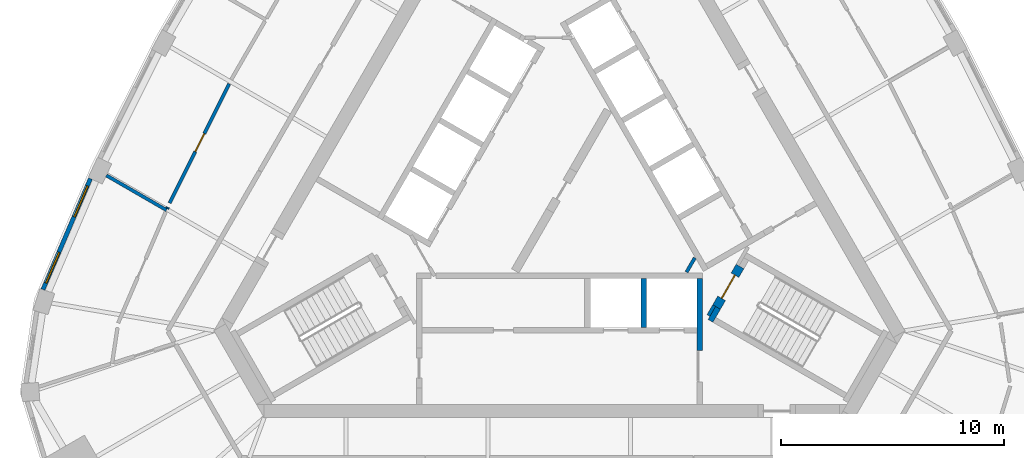
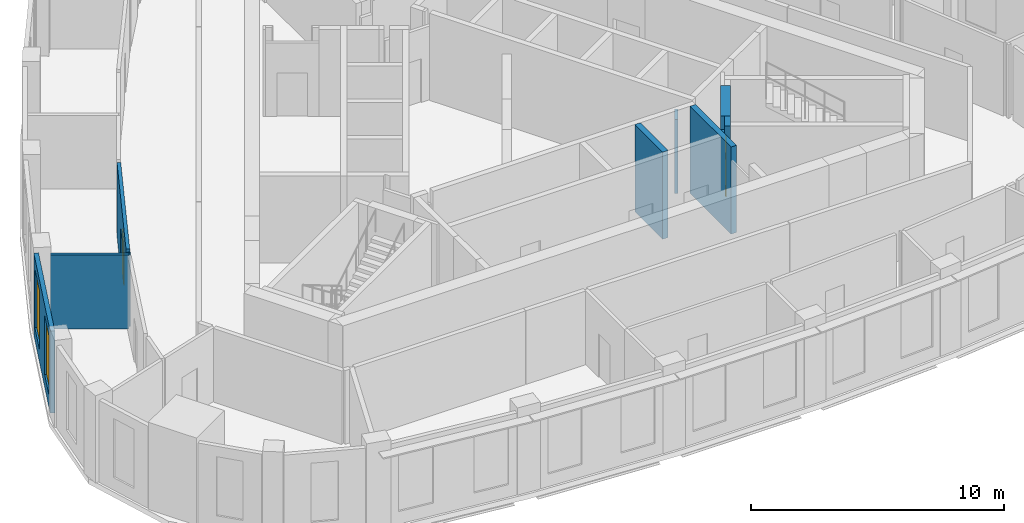
# One storey, part 4 of 10: 10 walls, 2 doors, 2 windows, 4 openings.
"""IFC4 building model written with IfcOpenShell, lengths in metres."""

from ifc_helpers import new_model, si_unit, direction, frame, frame_2d, origin, place, context, subcontext, project, spatial, rectangle, extrude, material, layer, layer_set, type_object, element, fill, save


model = new_model("IFC4")

# Units and contexts
model_context = context("Model", 3, precision=1e-05, world=origin(), true_north=direction((0.0, 1.0)))
body_context = subcontext(model_context, "Body", "Model", "MODEL_VIEW")
ifc_project = project(units=[si_unit("LENGTHUNIT", "METRE"), si_unit("AREAUNIT", "SQUARE_METRE"), si_unit("VOLUMEUNIT", "CUBIC_METRE"), si_unit("PLANEANGLEUNIT", "RADIAN"), si_unit("MASSUNIT", "GRAM", prefix="KILO")], contexts=[model_context])

# Site, building, storey
site_placement = place(None, origin())
site = spatial("IfcSite", under=ifc_project, at=site_placement, CompositionType="ELEMENT")
building_placement = place(site_placement, origin())
building = spatial("IfcBuilding", under=site, at=building_placement, Name="Mestral Congress Tower", CompositionType="ELEMENT")
storey_placement = place(building_placement, frame((0.0, 0.0, 267.0)))
storey = spatial("IfcBuildingStorey", under=building, at=storey_placement, Name="L62", CompositionType="ELEMENT", Elevation=267.0)

# Walls
ifc_material_1 = material(Name="Fire-rated board partition")
ifc_layer_1 = layer(ifc_material_1, 0.14990234375)
ifc_layer_set_1 = layer_set([ifc_layer_1], Name="Fire-rated board partition")
wall_type_1 = type_object("IfcWallType", Name="Core partition 150", PredefinedType="PARTITIONING", material=ifc_layer_set_1)
wall_1_placement = place(storey_placement, frame((6.94482421875, -5.22216796875, 0.0), z_axis=(0.0, 0.0, 1.0), x_axis=(-0.499818422106, -0.866130212453, 0.0)))
element("IfcWall", 1, at=wall_1_placement, inside=storey, type_object=wall_type_1, Name="L62 core wall", PredefinedType="PARTITIONING", context=body_context, shape_type="SweptSolid", body=[
    extrude(rectangle(XDim=0.513916015625, YDim=0.14990234375, at=frame_2d((0.2568359375, 0.0))), origin(), (0.0, 0.0, 1.0), 3.550048828125),
])
wall_2_placement = place(storey_placement, frame((5.704833984375, -3.718017578125, 0.0), z_axis=(0.0, 0.0, 1.0), x_axis=(0.499962090823, 0.866047289552, 0.0)))
element("IfcWall", 2, at=wall_2_placement, inside=storey, type_object=wall_type_1, Name="L62 core wall", PredefinedType="PARTITIONING", context=body_context, shape_type="SweptSolid", body=[
    extrude(rectangle(XDim=0.73486328125, YDim=0.14990234375, at=frame_2d((0.367431640625, 0.0))), origin(), (0.0, 0.0, 1.0), 3.550048828125),
])

# Wall, openings, windows
ifc_material_2 = material(Name="Precast concrete C40/50 with limestone facing", Category="masonry")
ifc_layer_2 = layer(ifc_material_2, 0.18994140625)
ifc_layer_set_2 = layer_set([ifc_layer_2], Name="Precast concrete C40/50 with limestone facing")
wall_type_2 = type_object("IfcWallType", Name="Facade stone wall 190", PredefinedType="SOLIDWALL", material=ifc_layer_set_2)
wall_3_placement = place(storey_placement, frame((-21.048828125, 0.477783203125, 0.0), z_axis=(0.0, 0.0, 1.0), x_axis=(-0.393347848476, -0.919389726992, 0.0)))
wall_3 = element("IfcWall", 3, at=wall_3_placement, inside=storey, type_object=wall_type_2, Name="Facade wall F2-04", PredefinedType="SOLIDWALL", context=body_context, shape_type="SweptSolid", body=[
    extrude(rectangle(XDim=5.414794921875, YDim=0.18994140625, at=frame_2d((2.70751953125, 0.0))), origin(), (0.0, 0.0, 1.0), 3.949951171875),
])
opening_1_placement = place(wall_3_placement, frame((0.357421875, 0.0, 0.60009765625)))
opening_1 = element("IfcOpeningElement", 4, at=opening_1_placement, cuts=wall_3, Name="Opening W6", PredefinedType="OPENING", context=body_context, shape_type="SweptSolid", body=[
    extrude(rectangle(XDim=1.5, YDim=2.85009765625, at=frame_2d((0.75, 1.425048828125))), frame((0.0, 0.10498046875, 0.0), z_axis=(0.0, -1.0, 0.0), x_axis=(1.0, 0.0, 0.0)), (0.0, 0.0, 1.0), 0.2099609375),
])
opening_2_placement = place(wall_3_placement, frame((3.592529296875, 0.0, 0.60009765625)))
opening_2 = element("IfcOpeningElement", 5, at=opening_2_placement, cuts=wall_3, Name="Opening W6", PredefinedType="OPENING", context=body_context, shape_type="SweptSolid", body=[
    extrude(rectangle(XDim=1.5, YDim=2.85009765625, at=frame_2d((0.75, 1.425048828125))), frame((0.0, 0.10498046875, 0.0), z_axis=(0.0, -1.0, 0.0), x_axis=(1.0, 0.0, 0.0)), (0.0, 0.0, 1.0), 0.2099609375),
])
ifc_material_3 = material(Name="Clear low-emissivity double glazing", Category="glass")
window_type = type_object("IfcWindowType", Name="Facade punched window 1500 x 2850 sill 600", PartitioningType="SINGLE_PANEL", PredefinedType="WINDOW", material=ifc_material_3)
window_1_placement = place(opening_1_placement, origin())
window_1 = element("IfcWindow", 6, at=window_1_placement, inside=storey, type_object=window_type, Name="Window F2-04a", OverallHeight=2.85009765625, OverallWidth=1.5, PartitioningType="SINGLE_PANEL", PredefinedType="WINDOW", context=body_context, shape_type="SweptSolid", body=[
    extrude(rectangle(XDim=1.5, YDim=2.85009765625, at=frame_2d((0.75, 1.425048828125))), frame((0.0, 0.044921875, 0.0), z_axis=(0.0, -1.0, 0.0), x_axis=(1.0, 0.0, 0.0)), (0.0, 0.0, 1.0), 0.06005859375),
])
fill(opening_1, window_1)
window_2_placement = place(opening_2_placement, origin())
window_2 = element("IfcWindow", 7, at=window_2_placement, inside=storey, type_object=window_type, Name="Window F2-04b", OverallHeight=2.85009765625, OverallWidth=1.5, PartitioningType="SINGLE_PANEL", PredefinedType="WINDOW", context=body_context, shape_type="SweptSolid", body=[
    extrude(rectangle(XDim=1.5, YDim=2.85009765625, at=frame_2d((0.75, 1.425048828125))), frame((0.0, 0.044921875, 0.0), z_axis=(0.0, -1.0, 0.0), x_axis=(1.0, 0.0, 0.0)), (0.0, 0.0, 1.0), 0.06005859375),
])
fill(opening_2, window_2)

# Wall
ifc_material_4 = material(Name="Plasterboard partition on steel studs", Category="steel")
ifc_layer_3 = layer(ifc_material_4, 0.14990234375)
ifc_layer_set_3 = layer_set([ifc_layer_3], Name="Plasterboard partition on steel studs")
wall_type_3 = type_object("IfcWallType", Name="Office partition 150", PredefinedType="PARTITIONING", material=ifc_layer_set_3)
wall_4_placement = place(storey_placement, frame((-17.634521484375, -0.935546875, 0.0), z_axis=(0.0, 0.0, 1.0), x_axis=(-0.866044607523, 0.499966736674, 0.0)))
element("IfcWall", 8, at=wall_4_placement, inside=storey, type_object=wall_type_3, Name="Partition", PredefinedType="PARTITIONING", context=body_context, shape_type="SweptSolid", body=[
    extrude(rectangle(XDim=3.114501953125, YDim=0.14990234375, at=frame_2d((1.55712890625, 0.0))), origin(), (0.0, 0.0, 1.0), 3.550048828125),
])

# Wall, opening, door
wall_5_placement = place(storey_placement, frame((-17.49658203125, -0.61328125, 0.0), z_axis=(0.0, 0.0, 1.0), x_axis=(0.447474899467, 0.894296491297, 0.0)))
wall_5 = element("IfcWall", 9, at=wall_5_placement, inside=storey, type_object=wall_type_3, Name="Partition", PredefinedType="PARTITIONING", context=body_context, shape_type="SweptSolid", body=[
    extrude(rectangle(XDim=5.979248046875, YDim=0.14990234375, at=frame_2d((2.98974609375, 0.0))), origin(), (0.0, 0.0, 1.0), 3.550048828125),
])
opening_3_placement = place(wall_5_placement, frame((2.57958984375, 0.0, 0.0)))
opening_3 = element("IfcOpeningElement", 10, at=opening_3_placement, cuts=wall_5, Name="Opening O11-016", PredefinedType="OPENING", context=body_context, shape_type="SweptSolid", body=[
    extrude(rectangle(XDim=0.89990234375, YDim=2.10009765625, at=frame_2d((0.449951171875, 1.050048828125))), frame((0.0, 0.0849609375, 0.0), z_axis=(0.0, -1.0, 0.0), x_axis=(1.0, 0.0, 0.0)), (0.0, 0.0, 1.0), 0.169921875),
])
ifc_material_5 = material(Name="Timber door set", Category="wood")
door_type_1 = type_object("IfcDoorType", Name="Office door 900x2100", OperationType="SINGLE_SWING_LEFT", PredefinedType="DOOR", material=ifc_material_5)
door_1_placement = place(opening_3_placement, origin())
door_1 = element("IfcDoor", 11, at=door_1_placement, inside=storey, type_object=door_type_1, Name="Door O11-016", OperationType="SINGLE_SWING_RIGHT", OverallHeight=2.10009765625, OverallWidth=0.89990234375, PredefinedType="DOOR", context=body_context, shape_type="SweptSolid", body=[
    extrude(rectangle(XDim=0.89990234375, YDim=2.10009765625, at=frame_2d((0.449951171875, 1.050048828125))), frame((0.0, 0.02490234375, 0.0), z_axis=(0.0, -1.0, 0.0), x_axis=(1.0, 0.0, 0.0)), (0.0, 0.0, 1.0), 0.050048828125),
])
fill(opening_3, door_1)

# Walls
wall_6_placement = place(storey_placement, frame((-17.5810546875, -0.810302734375, 0.0), z_axis=(0.0, 0.0, 1.0), x_axis=(-0.390033474923, -0.92080067791, 0.0)))
element("IfcWall", 12, at=wall_6_placement, inside=storey, type_object=wall_type_3, Name="Partition", PredefinedType="PARTITIONING", context=body_context, shape_type="SweptSolid", body=[
    extrude(rectangle(XDim=0.060791015625, YDim=0.14990234375, at=frame_2d((0.0302734375, 0.0))), origin(), (0.0, 0.0, 1.0), 3.550048828125),
])
ifc_material_6 = material(Name="Concrete C60/75", Category="concrete")
ifc_layer_4 = layer(ifc_material_6, 0.25)
ifc_layer_set_4 = layer_set([ifc_layer_4], Name="Concrete C60/75")
wall_type_4 = type_object("IfcWallType", Name="Shaft wall RC 250", PredefinedType="SOLIDWALL", material=ifc_layer_set_4)
wall_7_placement = place(storey_placement, frame((6.300048828125, -7.239990234375, 0.0), z_axis=(0.0, 0.0, 1.0), x_axis=(0.0, 1.0, 0.0)))
element("IfcWall", 13, at=wall_7_placement, inside=storey, type_object=wall_type_4, Name="L62 core wall", PredefinedType="SOLIDWALL", context=body_context, shape_type="SweptSolid", body=[
    extrude(rectangle(XDim=3.239990234375, YDim=0.25, at=frame_2d((1.6201171875, 0.0))), origin(), (0.0, 0.0, 1.0), 4.199951171875),
])
wall_8_placement = place(storey_placement, frame((3.780029296875, -4.0, 0.0), z_axis=(0.0, 0.0, 1.0), x_axis=(0.0, -1.0, 0.0)))
element("IfcWall", 14, at=wall_8_placement, inside=storey, type_object=wall_type_4, Name="L62 core wall", PredefinedType="SOLIDWALL", context=body_context, shape_type="SweptSolid", body=[
    extrude(rectangle(XDim=2.199951171875, YDim=0.25, at=frame_2d((1.10009765625, 0.0))), origin(), (0.0, 0.0, 1.0), 4.199951171875),
])
ifc_layer_5 = layer(ifc_material_6, 0.25)
ifc_layer_set_5 = layer_set([ifc_layer_5], Name="Concrete C60/75")
wall_type_5 = type_object("IfcWallType", Name="Stair wall RC 250", PredefinedType="SOLIDWALL", material=ifc_layer_set_5)
wall_9_placement = place(storey_placement, frame((6.780029296875, -5.906494140625, 0.0), z_axis=(0.0, 0.0, 1.0), x_axis=(0.500223362819, 0.865896406789, 0.0)))
element("IfcWall", 15, at=wall_9_placement, inside=storey, type_object=wall_type_5, Name="L62 core wall", PredefinedType="SOLIDWALL", context=body_context, shape_type="SweptSolid", body=[
    extrude(rectangle(XDim=0.675048828125, YDim=0.25, at=frame_2d((0.33740234375, 0.0))), origin(), (0.0, 0.0, 1.0), 4.199951171875),
])

# Wall, opening, door
ifc_layer_6 = layer(ifc_material_6, 0.39990234375)
ifc_layer_set_6 = layer_set([ifc_layer_6], Name="Concrete C60/75")
wall_type_6 = type_object("IfcWallType", Name="Stair wall RC 250 door-wall 400", PredefinedType="SOLIDWALL", material=ifc_layer_set_6)
wall_10_placement = place(storey_placement, frame((7.052734375, -5.2841796875, 0.0), z_axis=(0.0, 0.0, 1.0), x_axis=(0.500078061341, 0.865980330357, 0.0)))
wall_10 = element("IfcWall", 16, at=wall_10_placement, inside=storey, type_object=wall_type_6, Name="L62 door wall", PredefinedType="SOLIDWALL", context=body_context, shape_type="SweptSolid", body=[
    extrude(rectangle(XDim=2.099853515625, YDim=0.39990234375, at=frame_2d((1.0498046875, 0.0))), origin(), (0.0, 0.0, 1.0), 4.199951171875),
])
opening_4_placement = place(wall_10_placement, frame((0.449951171875, 0.0, 0.0)))
opening_4 = element("IfcOpeningElement", 17, at=opening_4_placement, cuts=wall_10, Name="Opening ST-D1", PredefinedType="OPENING", context=body_context, shape_type="SweptSolid", body=[
    extrude(rectangle(XDim=1.199951171875, YDim=2.10009765625, at=frame_2d((0.60009765625, 1.050048828125))), frame((0.0, 0.2099609375, 0.0), z_axis=(0.0, -1.0, 0.0), x_axis=(1.0, 0.0, 0.0)), (0.0, 0.0, 1.0), 0.419921875),
])
ifc_material_7 = material(Name="Fire-rated steel door set", Category="steel")
door_type_2 = type_object("IfcDoorType", Name="Core door ST 1200x2100", OperationType="SINGLE_SWING_LEFT", PredefinedType="DOOR", material=ifc_material_7)
door_2_placement = place(opening_4_placement, origin())
door_2 = element("IfcDoor", 18, at=door_2_placement, inside=storey, type_object=door_type_2, Name="Door ST-D1", OperationType="SINGLE_SWING_LEFT", OverallHeight=2.10009765625, OverallWidth=1.199951171875, PredefinedType="DOOR", context=body_context, shape_type="SweptSolid", body=[
    extrude(rectangle(XDim=1.199951171875, YDim=2.10009765625, at=frame_2d((0.60009765625, 1.050048828125))), frame((0.0, 0.02490234375, 0.0), z_axis=(0.0, -1.0, 0.0), x_axis=(1.0, 0.0, 0.0)), (0.0, 0.0, 1.0), 0.050048828125),
])
fill(opening_4, door_2)

save(model, "model.ifc")
